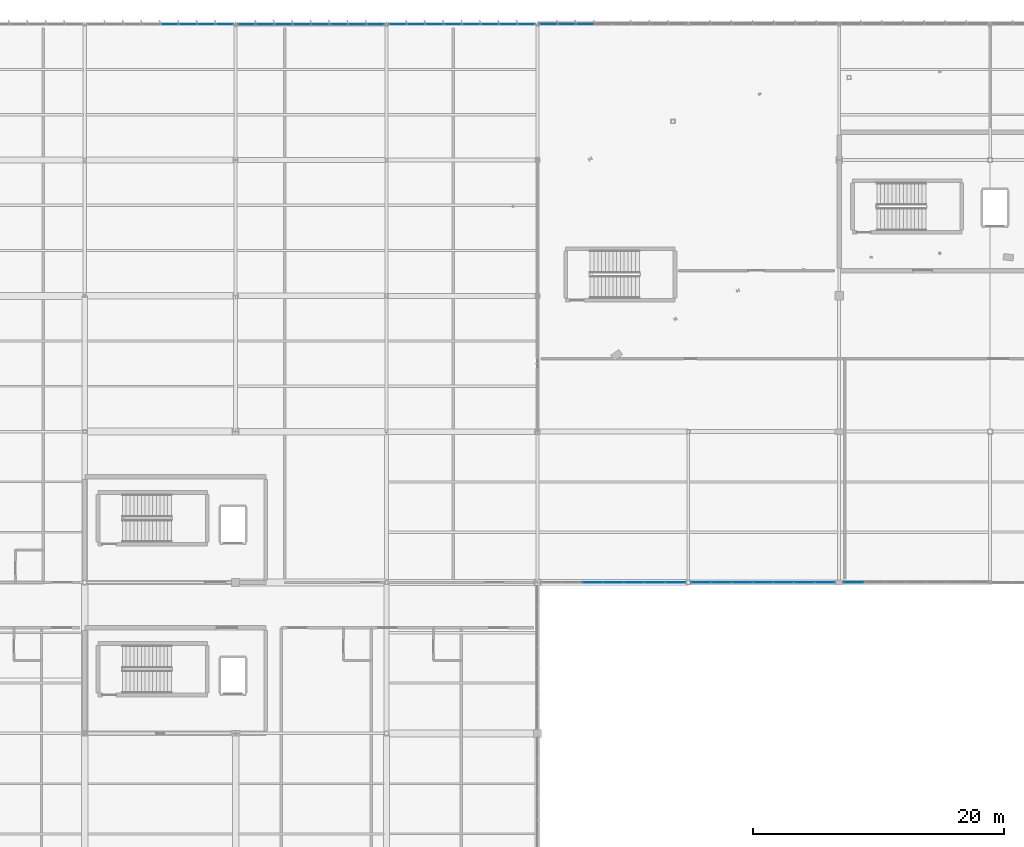
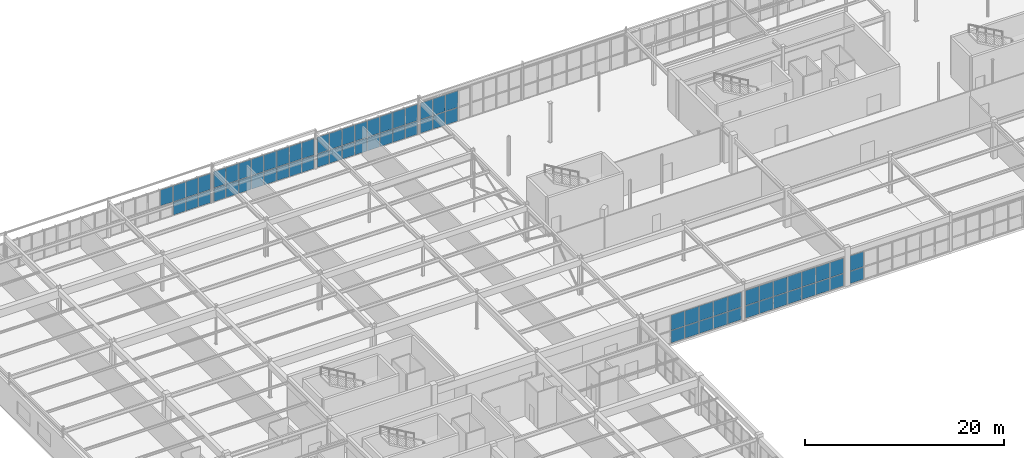
# One storey, part 140 of 226: 71 plates, 7 elements without a shape of their own.
"""IFC4 building model written with IfcOpenShell, lengths in metres."""

from ifc_helpers import new_model, si_unit, direction, frame, origin, origin_2d, place, context, subcontext, project, spatial, rectangle, extrude, material, layer, layer_set, type_object, element, aggregate, save


model = new_model("IFC4")

# Units and contexts
model_context = context("Model", 3, precision=1e-05, world=origin(), true_north=direction((0.0, 1.0)))
body_context = subcontext(model_context, "Body", "Model", "MODEL_VIEW")
ifc_project = project(units=[si_unit("LENGTHUNIT", "METRE"), si_unit("AREAUNIT", "SQUARE_METRE"), si_unit("VOLUMEUNIT", "CUBIC_METRE"), si_unit("PLANEANGLEUNIT", "RADIAN"), si_unit("MASSUNIT", "GRAM", prefix="KILO")], contexts=[model_context])

# Site, building, storey
site_placement = place(None, origin())
site = spatial("IfcSite", under=ifc_project, at=site_placement, CompositionType="ELEMENT")
building_placement = place(site_placement, origin())
building = spatial("IfcBuilding", under=site, at=building_placement, Name="Tarnwether General Hospital", CompositionType="ELEMENT")
storey_placement = place(building_placement, frame((0.0, 0.0, 4.800048828125)))
storey = spatial("IfcBuildingStorey", under=building, at=storey_placement, Name="L01", CompositionType="ELEMENT", Elevation=4.800048828125)

# Curtain wall, plates
ifc_material_1 = material(Name="Anodised aluminium", Category="aluminium")
ifc_layer_1 = layer(ifc_material_1, 0.159912109375)
ifc_layer_set_1 = layer_set([ifc_layer_1], Name="Anodised aluminium")
curtain_wall_type_1 = type_object("IfcCurtainWallType", Name="CW-12", PredefinedType="NOTDEFINED", material=ifc_layer_set_1)
curtain_wall_1_placement = place(storey_placement, origin())
curtain_wall_1 = element("IfcCurtainWall", 1, at=curtain_wall_1_placement, inside=storey, type_object=curtain_wall_type_1, Name="Curtain Wall CWG-L01-241_1260-0319", PredefinedType="NOTDEFINED")
ifc_material_2 = material(Name="Double glazed low-E glass", Category="glass")
ifc_layer_2 = layer(ifc_material_2, 0.028076171875)
ifc_layer_set_2 = layer_set([ifc_layer_2], Name="Double glazed low-E glass")
plate_type = type_object("IfcPlateType", Name="PT-CWP1", PredefinedType="CURTAIN_PANEL", material=ifc_layer_set_2)
plate_1_placement = place(storey_placement, frame((30.733154296875, 126.0, 1.705078125), z_axis=(0.0, 0.0, 1.0), x_axis=(1.0, 0.0, 0.0)))
plate_1 = element("IfcPlate", 2, at=plate_1_placement, type_object=plate_type, Name="CW-12 panel 5.2", PredefinedType="CURTAIN_PANEL", context=body_context, shape_type="SweptSolid", body=[
    extrude(rectangle(XDim=1.40625, YDim=0.028076171875, at=origin_2d()), origin(), (0.0, 0.0, 1.0), 1.957763671875),
])
plate_2_placement = place(storey_placement, frame((32.199462890625, 126.0, 0.06005859375), z_axis=(0.0, 0.0, 1.0), x_axis=(1.0, 0.0, 0.0)))
plate_2 = element("IfcPlate", 3, at=plate_2_placement, type_object=plate_type, Name="CW-12 panel 6.1", PredefinedType="CURTAIN_PANEL", context=body_context, shape_type="SweptSolid", body=[
    extrude(rectangle(XDim=1.40625, YDim=0.028076171875, at=origin_2d()), origin(), (0.0, 0.0, 1.0), 1.585205078125),
])
plate_3_placement = place(storey_placement, frame((32.199462890625, 126.0, 1.705078125), z_axis=(0.0, 0.0, 1.0), x_axis=(1.0, 0.0, 0.0)))
plate_3 = element("IfcPlate", 4, at=plate_3_placement, type_object=plate_type, Name="CW-12 panel 6.2", PredefinedType="CURTAIN_PANEL", context=body_context, shape_type="SweptSolid", body=[
    extrude(rectangle(XDim=1.40625, YDim=0.028076171875, at=origin_2d()), origin(), (0.0, 0.0, 1.0), 1.957763671875),
])
plate_4_placement = place(storey_placement, frame((33.66552734375, 126.0, 0.06005859375), z_axis=(0.0, 0.0, 1.0), x_axis=(1.0, 0.0, 0.0)))
plate_4 = element("IfcPlate", 5, at=plate_4_placement, type_object=plate_type, Name="CW-12 panel 7.1", PredefinedType="CURTAIN_PANEL", context=body_context, shape_type="SweptSolid", body=[
    extrude(rectangle(XDim=1.40625, YDim=0.028076171875, at=origin_2d()), origin(), (0.0, 0.0, 1.0), 1.585205078125),
])
plate_5_placement = place(storey_placement, frame((33.66552734375, 126.0, 1.705078125), z_axis=(0.0, 0.0, 1.0), x_axis=(1.0, 0.0, 0.0)))
plate_5 = element("IfcPlate", 6, at=plate_5_placement, type_object=plate_type, Name="CW-12 panel 7.2", PredefinedType="CURTAIN_PANEL", context=body_context, shape_type="SweptSolid", body=[
    extrude(rectangle(XDim=1.40625, YDim=0.028076171875, at=origin_2d()), origin(), (0.0, 0.0, 1.0), 1.957763671875),
])
plate_6_placement = place(storey_placement, frame((35.116943359375, 126.0, 0.06005859375), z_axis=(0.0, 0.0, 1.0), x_axis=(1.0, 0.0, 0.0)))
plate_6 = element("IfcPlate", 7, at=plate_6_placement, type_object=plate_type, Name="CW-12 panel 8.1", PredefinedType="CURTAIN_PANEL", context=body_context, shape_type="SweptSolid", body=[
    extrude(rectangle(XDim=1.376220703125, YDim=0.028076171875, at=origin_2d()), origin(), (0.0, 0.0, 1.0), 1.585205078125),
])
plate_7_placement = place(storey_placement, frame((35.116943359375, 126.0, 1.705078125), z_axis=(0.0, 0.0, 1.0), x_axis=(1.0, 0.0, 0.0)))
plate_7 = element("IfcPlate", 8, at=plate_7_placement, type_object=plate_type, Name="CW-12 panel 8.2", PredefinedType="CURTAIN_PANEL", context=body_context, shape_type="SweptSolid", body=[
    extrude(rectangle(XDim=1.376220703125, YDim=0.028076171875, at=origin_2d()), origin(), (0.0, 0.0, 1.0), 1.957763671875),
])
aggregate(curtain_wall_1, [plate_1, plate_2, plate_3, plate_4, plate_5, plate_6, plate_7])

curtain_wall_2_placement = place(storey_placement, origin())
curtain_wall_2 = element("IfcCurtainWall", 9, at=curtain_wall_2_placement, inside=storey, type_object=curtain_wall_type_1, Name="Curtain Wall CWG-L01-361_1260-0320", PredefinedType="NOTDEFINED")
plate_8_placement = place(storey_placement, frame((36.883056640625, 126.0, 0.06005859375), z_axis=(0.0, 0.0, 1.0), x_axis=(1.0, 0.0, 0.0)))
plate_8 = element("IfcPlate", 10, at=plate_8_placement, type_object=plate_type, Name="CW-12 panel 1.1", PredefinedType="CURTAIN_PANEL", context=body_context, shape_type="SweptSolid", body=[
    extrude(rectangle(XDim=1.376220703125, YDim=0.028076171875, at=origin_2d()), origin(), (0.0, 0.0, 1.0), 1.621337890625),
])
plate_9_placement = place(storey_placement, frame((36.883056640625, 126.0, 1.7412109375), z_axis=(0.0, 0.0, 1.0), x_axis=(1.0, 0.0, 0.0)))
plate_9 = element("IfcPlate", 11, at=plate_9_placement, type_object=plate_type, Name="CW-12 panel 1.2", PredefinedType="CURTAIN_PANEL", context=body_context, shape_type="SweptSolid", body=[
    extrude(rectangle(XDim=1.376220703125, YDim=0.028076171875, at=origin_2d()), origin(), (0.0, 0.0, 1.0), 2.001708984375),
])
plate_10_placement = place(storey_placement, frame((38.33447265625, 126.0, 0.06005859375), z_axis=(0.0, 0.0, 1.0), x_axis=(1.0, 0.0, 0.0)))
plate_10 = element("IfcPlate", 12, at=plate_10_placement, type_object=plate_type, Name="CW-12 panel 2.1", PredefinedType="CURTAIN_PANEL", context=body_context, shape_type="SweptSolid", body=[
    extrude(rectangle(XDim=1.40625, YDim=0.028076171875, at=origin_2d()), origin(), (0.0, 0.0, 1.0), 1.621337890625),
])
plate_11_placement = place(storey_placement, frame((38.33447265625, 126.0, 1.7412109375), z_axis=(0.0, 0.0, 1.0), x_axis=(1.0, 0.0, 0.0)))
plate_11 = element("IfcPlate", 13, at=plate_11_placement, type_object=plate_type, Name="CW-12 panel 2.2", PredefinedType="CURTAIN_PANEL", context=body_context, shape_type="SweptSolid", body=[
    extrude(rectangle(XDim=1.40625, YDim=0.028076171875, at=origin_2d()), origin(), (0.0, 0.0, 1.0), 2.001708984375),
])
plate_12_placement = place(storey_placement, frame((39.800537109375, 126.0, 0.06005859375), z_axis=(0.0, 0.0, 1.0), x_axis=(1.0, 0.0, 0.0)))
plate_12 = element("IfcPlate", 14, at=plate_12_placement, type_object=plate_type, Name="CW-12 panel 3.1", PredefinedType="CURTAIN_PANEL", context=body_context, shape_type="SweptSolid", body=[
    extrude(rectangle(XDim=1.40625, YDim=0.028076171875, at=origin_2d()), origin(), (0.0, 0.0, 1.0), 1.621337890625),
])
plate_13_placement = place(storey_placement, frame((39.800537109375, 126.0, 1.7412109375), z_axis=(0.0, 0.0, 1.0), x_axis=(1.0, 0.0, 0.0)))
plate_13 = element("IfcPlate", 15, at=plate_13_placement, type_object=plate_type, Name="CW-12 panel 3.2", PredefinedType="CURTAIN_PANEL", context=body_context, shape_type="SweptSolid", body=[
    extrude(rectangle(XDim=1.40625, YDim=0.028076171875, at=origin_2d()), origin(), (0.0, 0.0, 1.0), 2.001708984375),
])
plate_14_placement = place(storey_placement, frame((41.266845703125, 126.0, 0.06005859375), z_axis=(0.0, 0.0, 1.0), x_axis=(1.0, 0.0, 0.0)))
plate_14 = element("IfcPlate", 16, at=plate_14_placement, type_object=plate_type, Name="CW-12 panel 4.1", PredefinedType="CURTAIN_PANEL", context=body_context, shape_type="SweptSolid", body=[
    extrude(rectangle(XDim=1.40625, YDim=0.028076171875, at=origin_2d()), origin(), (0.0, 0.0, 1.0), 1.621337890625),
])
plate_15_placement = place(storey_placement, frame((41.266845703125, 126.0, 1.7412109375), z_axis=(0.0, 0.0, 1.0), x_axis=(1.0, 0.0, 0.0)))
plate_15 = element("IfcPlate", 17, at=plate_15_placement, type_object=plate_type, Name="CW-12 panel 4.2", PredefinedType="CURTAIN_PANEL", context=body_context, shape_type="SweptSolid", body=[
    extrude(rectangle(XDim=1.40625, YDim=0.028076171875, at=origin_2d()), origin(), (0.0, 0.0, 1.0), 2.001708984375),
])
plate_16_placement = place(storey_placement, frame((42.733154296875, 126.0, 0.06005859375), z_axis=(0.0, 0.0, 1.0), x_axis=(1.0, 0.0, 0.0)))
plate_16 = element("IfcPlate", 18, at=plate_16_placement, type_object=plate_type, Name="CW-12 panel 5.1", PredefinedType="CURTAIN_PANEL", context=body_context, shape_type="SweptSolid", body=[
    extrude(rectangle(XDim=1.40625, YDim=0.028076171875, at=origin_2d()), origin(), (0.0, 0.0, 1.0), 1.621337890625),
])
plate_17_placement = place(storey_placement, frame((42.733154296875, 126.0, 1.7412109375), z_axis=(0.0, 0.0, 1.0), x_axis=(1.0, 0.0, 0.0)))
plate_17 = element("IfcPlate", 19, at=plate_17_placement, type_object=plate_type, Name="CW-12 panel 5.2", PredefinedType="CURTAIN_PANEL", context=body_context, shape_type="SweptSolid", body=[
    extrude(rectangle(XDim=1.40625, YDim=0.028076171875, at=origin_2d()), origin(), (0.0, 0.0, 1.0), 2.001708984375),
])
plate_18_placement = place(storey_placement, frame((44.199462890625, 126.0, 0.06005859375), z_axis=(0.0, 0.0, 1.0), x_axis=(1.0, 0.0, 0.0)))
plate_18 = element("IfcPlate", 20, at=plate_18_placement, type_object=plate_type, Name="CW-12 panel 6.1", PredefinedType="CURTAIN_PANEL", context=body_context, shape_type="SweptSolid", body=[
    extrude(rectangle(XDim=1.40625, YDim=0.028076171875, at=origin_2d()), origin(), (0.0, 0.0, 1.0), 1.621337890625),
])
plate_19_placement = place(storey_placement, frame((44.199462890625, 126.0, 1.7412109375), z_axis=(0.0, 0.0, 1.0), x_axis=(1.0, 0.0, 0.0)))
plate_19 = element("IfcPlate", 21, at=plate_19_placement, type_object=plate_type, Name="CW-12 panel 6.2", PredefinedType="CURTAIN_PANEL", context=body_context, shape_type="SweptSolid", body=[
    extrude(rectangle(XDim=1.40625, YDim=0.028076171875, at=origin_2d()), origin(), (0.0, 0.0, 1.0), 2.001708984375),
])
plate_20_placement = place(storey_placement, frame((45.66552734375, 126.0, 0.06005859375), z_axis=(0.0, 0.0, 1.0), x_axis=(1.0, 0.0, 0.0)))
plate_20 = element("IfcPlate", 22, at=plate_20_placement, type_object=plate_type, Name="CW-12 panel 7.1", PredefinedType="CURTAIN_PANEL", context=body_context, shape_type="SweptSolid", body=[
    extrude(rectangle(XDim=1.40625, YDim=0.028076171875, at=origin_2d()), origin(), (0.0, 0.0, 1.0), 1.621337890625),
])
plate_21_placement = place(storey_placement, frame((45.66552734375, 126.0, 1.7412109375), z_axis=(0.0, 0.0, 1.0), x_axis=(1.0, 0.0, 0.0)))
plate_21 = element("IfcPlate", 23, at=plate_21_placement, type_object=plate_type, Name="CW-12 panel 7.2", PredefinedType="CURTAIN_PANEL", context=body_context, shape_type="SweptSolid", body=[
    extrude(rectangle(XDim=1.40625, YDim=0.028076171875, at=origin_2d()), origin(), (0.0, 0.0, 1.0), 2.001708984375),
])
plate_22_placement = place(storey_placement, frame((47.116943359375, 126.0, 0.06005859375), z_axis=(0.0, 0.0, 1.0), x_axis=(1.0, 0.0, 0.0)))
plate_22 = element("IfcPlate", 24, at=plate_22_placement, type_object=plate_type, Name="CW-12 panel 8.1", PredefinedType="CURTAIN_PANEL", context=body_context, shape_type="SweptSolid", body=[
    extrude(rectangle(XDim=1.376220703125, YDim=0.028076171875, at=origin_2d()), origin(), (0.0, 0.0, 1.0), 1.621337890625),
])
plate_23_placement = place(storey_placement, frame((47.116943359375, 126.0, 1.7412109375), z_axis=(0.0, 0.0, 1.0), x_axis=(1.0, 0.0, 0.0)))
plate_23 = element("IfcPlate", 25, at=plate_23_placement, type_object=plate_type, Name="CW-12 panel 8.2", PredefinedType="CURTAIN_PANEL", context=body_context, shape_type="SweptSolid", body=[
    extrude(rectangle(XDim=1.376220703125, YDim=0.028076171875, at=origin_2d()), origin(), (0.0, 0.0, 1.0), 2.001708984375),
])
aggregate(curtain_wall_2, [plate_8, plate_9, plate_10, plate_11, plate_12, plate_13, plate_14, plate_15, plate_16, plate_17, plate_18, plate_19, plate_20, plate_21, plate_22, plate_23])

curtain_wall_3_placement = place(storey_placement, origin())
curtain_wall_3 = element("IfcCurtainWall", 26, at=curtain_wall_3_placement, inside=storey, type_object=curtain_wall_type_1, Name="Curtain Wall CWG-L01-481_1260-0321", PredefinedType="NOTDEFINED")
plate_24_placement = place(storey_placement, frame((48.883056640625, 126.0, 0.06005859375), z_axis=(0.0, 0.0, 1.0), x_axis=(1.0, 0.0, 0.0)))
plate_24 = element("IfcPlate", 27, at=plate_24_placement, type_object=plate_type, Name="CW-12 panel 1.1", PredefinedType="CURTAIN_PANEL", context=body_context, shape_type="SweptSolid", body=[
    extrude(rectangle(XDim=1.376220703125, YDim=0.028076171875, at=origin_2d()), origin(), (0.0, 0.0, 1.0), 1.62353515625),
])
plate_25_placement = place(storey_placement, frame((48.883056640625, 126.0, 1.74365234375), z_axis=(0.0, 0.0, 1.0), x_axis=(1.0, 0.0, 0.0)))
plate_25 = element("IfcPlate", 28, at=plate_25_placement, type_object=plate_type, Name="CW-12 panel 1.2", PredefinedType="CURTAIN_PANEL", context=body_context, shape_type="SweptSolid", body=[
    extrude(rectangle(XDim=1.376220703125, YDim=0.028076171875, at=origin_2d()), origin(), (0.0, 0.0, 1.0), 2.00439453125),
])
plate_26_placement = place(storey_placement, frame((50.33447265625, 126.0, 0.06005859375), z_axis=(0.0, 0.0, 1.0), x_axis=(1.0, 0.0, 0.0)))
plate_26 = element("IfcPlate", 29, at=plate_26_placement, type_object=plate_type, Name="CW-12 panel 2.1", PredefinedType="CURTAIN_PANEL", context=body_context, shape_type="SweptSolid", body=[
    extrude(rectangle(XDim=1.40625, YDim=0.028076171875, at=origin_2d()), origin(), (0.0, 0.0, 1.0), 1.62353515625),
])
plate_27_placement = place(storey_placement, frame((50.33447265625, 126.0, 1.74365234375), z_axis=(0.0, 0.0, 1.0), x_axis=(1.0, 0.0, 0.0)))
plate_27 = element("IfcPlate", 30, at=plate_27_placement, type_object=plate_type, Name="CW-12 panel 2.2", PredefinedType="CURTAIN_PANEL", context=body_context, shape_type="SweptSolid", body=[
    extrude(rectangle(XDim=1.40625, YDim=0.028076171875, at=origin_2d()), origin(), (0.0, 0.0, 1.0), 2.00439453125),
])
plate_28_placement = place(storey_placement, frame((51.800537109375, 126.0, 0.06005859375), z_axis=(0.0, 0.0, 1.0), x_axis=(1.0, 0.0, 0.0)))
plate_28 = element("IfcPlate", 31, at=plate_28_placement, type_object=plate_type, Name="CW-12 panel 3.1", PredefinedType="CURTAIN_PANEL", context=body_context, shape_type="SweptSolid", body=[
    extrude(rectangle(XDim=1.40625, YDim=0.028076171875, at=origin_2d()), origin(), (0.0, 0.0, 1.0), 1.62353515625),
])
plate_29_placement = place(storey_placement, frame((51.800537109375, 126.0, 1.74365234375), z_axis=(0.0, 0.0, 1.0), x_axis=(1.0, 0.0, 0.0)))
plate_29 = element("IfcPlate", 32, at=plate_29_placement, type_object=plate_type, Name="CW-12 panel 3.2", PredefinedType="CURTAIN_PANEL", context=body_context, shape_type="SweptSolid", body=[
    extrude(rectangle(XDim=1.40625, YDim=0.028076171875, at=origin_2d()), origin(), (0.0, 0.0, 1.0), 2.00439453125),
])
plate_30_placement = place(storey_placement, frame((53.266845703125, 126.0, 0.06005859375), z_axis=(0.0, 0.0, 1.0), x_axis=(1.0, 0.0, 0.0)))
plate_30 = element("IfcPlate", 33, at=plate_30_placement, type_object=plate_type, Name="CW-12 panel 4.1", PredefinedType="CURTAIN_PANEL", context=body_context, shape_type="SweptSolid", body=[
    extrude(rectangle(XDim=1.40625, YDim=0.028076171875, at=origin_2d()), origin(), (0.0, 0.0, 1.0), 1.62353515625),
])
plate_31_placement = place(storey_placement, frame((53.266845703125, 126.0, 1.74365234375), z_axis=(0.0, 0.0, 1.0), x_axis=(1.0, 0.0, 0.0)))
plate_31 = element("IfcPlate", 34, at=plate_31_placement, type_object=plate_type, Name="CW-12 panel 4.2", PredefinedType="CURTAIN_PANEL", context=body_context, shape_type="SweptSolid", body=[
    extrude(rectangle(XDim=1.40625, YDim=0.028076171875, at=origin_2d()), origin(), (0.0, 0.0, 1.0), 2.00439453125),
])
plate_32_placement = place(storey_placement, frame((54.733154296875, 126.0, 0.06005859375), z_axis=(0.0, 0.0, 1.0), x_axis=(1.0, 0.0, 0.0)))
plate_32 = element("IfcPlate", 35, at=plate_32_placement, type_object=plate_type, Name="CW-12 panel 5.1", PredefinedType="CURTAIN_PANEL", context=body_context, shape_type="SweptSolid", body=[
    extrude(rectangle(XDim=1.40625, YDim=0.028076171875, at=origin_2d()), origin(), (0.0, 0.0, 1.0), 1.62353515625),
])
plate_33_placement = place(storey_placement, frame((54.733154296875, 126.0, 1.74365234375), z_axis=(0.0, 0.0, 1.0), x_axis=(1.0, 0.0, 0.0)))
plate_33 = element("IfcPlate", 36, at=plate_33_placement, type_object=plate_type, Name="CW-12 panel 5.2", PredefinedType="CURTAIN_PANEL", context=body_context, shape_type="SweptSolid", body=[
    extrude(rectangle(XDim=1.40625, YDim=0.028076171875, at=origin_2d()), origin(), (0.0, 0.0, 1.0), 2.00439453125),
])
plate_34_placement = place(storey_placement, frame((56.199462890625, 126.0, 0.06005859375), z_axis=(0.0, 0.0, 1.0), x_axis=(1.0, 0.0, 0.0)))
plate_34 = element("IfcPlate", 37, at=plate_34_placement, type_object=plate_type, Name="CW-12 panel 6.1", PredefinedType="CURTAIN_PANEL", context=body_context, shape_type="SweptSolid", body=[
    extrude(rectangle(XDim=1.40625, YDim=0.028076171875, at=origin_2d()), origin(), (0.0, 0.0, 1.0), 1.62353515625),
])
plate_35_placement = place(storey_placement, frame((56.199462890625, 126.0, 1.74365234375), z_axis=(0.0, 0.0, 1.0), x_axis=(1.0, 0.0, 0.0)))
plate_35 = element("IfcPlate", 38, at=plate_35_placement, type_object=plate_type, Name="CW-12 panel 6.2", PredefinedType="CURTAIN_PANEL", context=body_context, shape_type="SweptSolid", body=[
    extrude(rectangle(XDim=1.40625, YDim=0.028076171875, at=origin_2d()), origin(), (0.0, 0.0, 1.0), 2.00439453125),
])
plate_36_placement = place(storey_placement, frame((57.66552734375, 126.0, 0.06005859375), z_axis=(0.0, 0.0, 1.0), x_axis=(1.0, 0.0, 0.0)))
plate_36 = element("IfcPlate", 39, at=plate_36_placement, type_object=plate_type, Name="CW-12 panel 7.1", PredefinedType="CURTAIN_PANEL", context=body_context, shape_type="SweptSolid", body=[
    extrude(rectangle(XDim=1.40625, YDim=0.028076171875, at=origin_2d()), origin(), (0.0, 0.0, 1.0), 1.62353515625),
])
plate_37_placement = place(storey_placement, frame((57.66552734375, 126.0, 1.74365234375), z_axis=(0.0, 0.0, 1.0), x_axis=(1.0, 0.0, 0.0)))
plate_37 = element("IfcPlate", 40, at=plate_37_placement, type_object=plate_type, Name="CW-12 panel 7.2", PredefinedType="CURTAIN_PANEL", context=body_context, shape_type="SweptSolid", body=[
    extrude(rectangle(XDim=1.40625, YDim=0.028076171875, at=origin_2d()), origin(), (0.0, 0.0, 1.0), 2.00439453125),
])
plate_38_placement = place(storey_placement, frame((59.116943359375, 126.0, 0.06005859375), z_axis=(0.0, 0.0, 1.0), x_axis=(1.0, 0.0, 0.0)))
plate_38 = element("IfcPlate", 41, at=plate_38_placement, type_object=plate_type, Name="CW-12 panel 8.1", PredefinedType="CURTAIN_PANEL", context=body_context, shape_type="SweptSolid", body=[
    extrude(rectangle(XDim=1.376220703125, YDim=0.028076171875, at=origin_2d()), origin(), (0.0, 0.0, 1.0), 1.62353515625),
])
plate_39_placement = place(storey_placement, frame((59.116943359375, 126.0, 1.74365234375), z_axis=(0.0, 0.0, 1.0), x_axis=(1.0, 0.0, 0.0)))
plate_39 = element("IfcPlate", 42, at=plate_39_placement, type_object=plate_type, Name="CW-12 panel 8.2", PredefinedType="CURTAIN_PANEL", context=body_context, shape_type="SweptSolid", body=[
    extrude(rectangle(XDim=1.376220703125, YDim=0.028076171875, at=origin_2d()), origin(), (0.0, 0.0, 1.0), 2.00439453125),
])
aggregate(curtain_wall_3, [plate_24, plate_25, plate_26, plate_27, plate_28, plate_29, plate_30, plate_31, plate_32, plate_33, plate_34, plate_35, plate_36, plate_37, plate_38, plate_39])

curtain_wall_4_placement = place(storey_placement, origin())
curtain_wall_4 = element("IfcCurtainWall", 43, at=curtain_wall_4_placement, inside=storey, type_object=curtain_wall_type_1, Name="Curtain Wall CWG-L01-601_1260-0322", PredefinedType="NOTDEFINED")
plate_40_placement = place(storey_placement, frame((60.883056640625, 126.0, 0.06005859375), z_axis=(0.0, 0.0, 1.0), x_axis=(1.0, 0.0, 0.0)))
plate_40 = element("IfcPlate", 44, at=plate_40_placement, type_object=plate_type, Name="CW-12 panel 1.1", PredefinedType="CURTAIN_PANEL", context=body_context, shape_type="SweptSolid", body=[
    extrude(rectangle(XDim=1.376220703125, YDim=0.028076171875, at=origin_2d()), origin(), (0.0, 0.0, 1.0), 1.632568359375),
])
plate_41_placement = place(storey_placement, frame((60.883056640625, 126.0, 1.75244140625), z_axis=(0.0, 0.0, 1.0), x_axis=(1.0, 0.0, 0.0)))
plate_41 = element("IfcPlate", 45, at=plate_41_placement, type_object=plate_type, Name="CW-12 panel 1.2", PredefinedType="CURTAIN_PANEL", context=body_context, shape_type="SweptSolid", body=[
    extrude(rectangle(XDim=1.376220703125, YDim=0.028076171875, at=origin_2d()), origin(), (0.0, 0.0, 1.0), 2.015380859375),
])
plate_42_placement = place(storey_placement, frame((62.33447265625, 126.0, 0.06005859375), z_axis=(0.0, 0.0, 1.0), x_axis=(1.0, 0.0, 0.0)))
plate_42 = element("IfcPlate", 46, at=plate_42_placement, type_object=plate_type, Name="CW-12 panel 2.1", PredefinedType="CURTAIN_PANEL", context=body_context, shape_type="SweptSolid", body=[
    extrude(rectangle(XDim=1.40625, YDim=0.028076171875, at=origin_2d()), origin(), (0.0, 0.0, 1.0), 1.632568359375),
])
plate_43_placement = place(storey_placement, frame((62.33447265625, 126.0, 1.75244140625), z_axis=(0.0, 0.0, 1.0), x_axis=(1.0, 0.0, 0.0)))
plate_43 = element("IfcPlate", 47, at=plate_43_placement, type_object=plate_type, Name="CW-12 panel 2.2", PredefinedType="CURTAIN_PANEL", context=body_context, shape_type="SweptSolid", body=[
    extrude(rectangle(XDim=1.40625, YDim=0.028076171875, at=origin_2d()), origin(), (0.0, 0.0, 1.0), 2.015380859375),
])
plate_44_placement = place(storey_placement, frame((63.800537109375, 126.0, 0.06005859375), z_axis=(0.0, 0.0, 1.0), x_axis=(1.0, 0.0, 0.0)))
plate_44 = element("IfcPlate", 48, at=plate_44_placement, type_object=plate_type, Name="CW-12 panel 3.1", PredefinedType="CURTAIN_PANEL", context=body_context, shape_type="SweptSolid", body=[
    extrude(rectangle(XDim=1.40625, YDim=0.028076171875, at=origin_2d()), origin(), (0.0, 0.0, 1.0), 1.632568359375),
])
plate_45_placement = place(storey_placement, frame((63.800537109375, 126.0, 1.75244140625), z_axis=(0.0, 0.0, 1.0), x_axis=(1.0, 0.0, 0.0)))
plate_45 = element("IfcPlate", 49, at=plate_45_placement, type_object=plate_type, Name="CW-12 panel 3.2", PredefinedType="CURTAIN_PANEL", context=body_context, shape_type="SweptSolid", body=[
    extrude(rectangle(XDim=1.40625, YDim=0.028076171875, at=origin_2d()), origin(), (0.0, 0.0, 1.0), 2.015380859375),
])
aggregate(curtain_wall_4, [plate_40, plate_41, plate_42, plate_43, plate_44, plate_45])

ifc_material_3 = material(Name="Anodised aluminium", Category="aluminium")
ifc_layer_3 = layer(ifc_material_3, 0.159912109375)
ifc_layer_set_3 = layer_set([ifc_layer_3], Name="Anodised aluminium")
curtain_wall_type_2 = type_object("IfcCurtainWallType", Name="CW-23", PredefinedType="NOTDEFINED", material=ifc_layer_set_3)
curtain_wall_5_placement = place(storey_placement, origin())
curtain_wall_5 = element("IfcCurtainWall", 50, at=curtain_wall_5_placement, inside=storey, type_object=curtain_wall_type_2, Name="Curtain Wall CWG-L01-603_816-0339", PredefinedType="NOTDEFINED")
plate_46_placement = place(storey_placement, frame((64.38525390625, 81.60009765625, 0.06005859375), z_axis=(0.0, 0.0, 1.0), x_axis=(1.0, 0.0, 0.0)))
plate_46 = element("IfcPlate", 51, at=plate_46_placement, type_object=plate_type, Name="CW-23 panel 3.1", PredefinedType="CURTAIN_PANEL", context=body_context, shape_type="SweptSolid", body=[
    extrude(rectangle(XDim=1.5908203125, YDim=0.028076171875, at=origin_2d()), origin(), (0.0, 0.0, 1.0), 1.49169921875),
])
plate_47_placement = place(storey_placement, frame((64.38525390625, 81.60009765625, 1.61181640625), z_axis=(0.0, 0.0, 1.0), x_axis=(1.0, 0.0, 0.0)))
plate_47 = element("IfcPlate", 52, at=plate_47_placement, type_object=plate_type, Name="CW-23 panel 3.2", PredefinedType="CURTAIN_PANEL", context=body_context, shape_type="SweptSolid", body=[
    extrude(rectangle(XDim=1.5908203125, YDim=0.028076171875, at=origin_2d()), origin(), (0.0, 0.0, 1.0), 1.84326171875),
])
plate_48_placement = place(storey_placement, frame((66.035888671875, 81.60009765625, 0.06005859375), z_axis=(0.0, 0.0, 1.0), x_axis=(1.0, 0.0, 0.0)))
plate_48 = element("IfcPlate", 53, at=plate_48_placement, type_object=plate_type, Name="CW-23 panel 4.1", PredefinedType="CURTAIN_PANEL", context=body_context, shape_type="SweptSolid", body=[
    extrude(rectangle(XDim=1.5908203125, YDim=0.028076171875, at=origin_2d()), origin(), (0.0, 0.0, 1.0), 1.49169921875),
])
plate_49_placement = place(storey_placement, frame((66.035888671875, 81.60009765625, 1.61181640625), z_axis=(0.0, 0.0, 1.0), x_axis=(1.0, 0.0, 0.0)))
plate_49 = element("IfcPlate", 54, at=plate_49_placement, type_object=plate_type, Name="CW-23 panel 4.2", PredefinedType="CURTAIN_PANEL", context=body_context, shape_type="SweptSolid", body=[
    extrude(rectangle(XDim=1.5908203125, YDim=0.028076171875, at=origin_2d()), origin(), (0.0, 0.0, 1.0), 1.84326171875),
])
plate_50_placement = place(storey_placement, frame((67.686767578125, 81.60009765625, 0.06005859375), z_axis=(0.0, 0.0, 1.0), x_axis=(1.0, 0.0, 0.0)))
plate_50 = element("IfcPlate", 55, at=plate_50_placement, type_object=plate_type, Name="CW-23 panel 5.1", PredefinedType="CURTAIN_PANEL", context=body_context, shape_type="SweptSolid", body=[
    extrude(rectangle(XDim=1.5908203125, YDim=0.028076171875, at=origin_2d()), origin(), (0.0, 0.0, 1.0), 1.49169921875),
])
plate_51_placement = place(storey_placement, frame((67.686767578125, 81.60009765625, 1.61181640625), z_axis=(0.0, 0.0, 1.0), x_axis=(1.0, 0.0, 0.0)))
plate_51 = element("IfcPlate", 56, at=plate_51_placement, type_object=plate_type, Name="CW-23 panel 5.2", PredefinedType="CURTAIN_PANEL", context=body_context, shape_type="SweptSolid", body=[
    extrude(rectangle(XDim=1.5908203125, YDim=0.028076171875, at=origin_2d()), origin(), (0.0, 0.0, 1.0), 1.84326171875),
])
plate_52_placement = place(storey_placement, frame((69.337646484375, 81.60009765625, 0.06005859375), z_axis=(0.0, 0.0, 1.0), x_axis=(1.0, 0.0, 0.0)))
plate_52 = element("IfcPlate", 57, at=plate_52_placement, type_object=plate_type, Name="CW-23 panel 6.1", PredefinedType="CURTAIN_PANEL", context=body_context, shape_type="SweptSolid", body=[
    extrude(rectangle(XDim=1.5908203125, YDim=0.028076171875, at=origin_2d()), origin(), (0.0, 0.0, 1.0), 1.49169921875),
])
plate_53_placement = place(storey_placement, frame((69.337646484375, 81.60009765625, 1.61181640625), z_axis=(0.0, 0.0, 1.0), x_axis=(1.0, 0.0, 0.0)))
plate_53 = element("IfcPlate", 58, at=plate_53_placement, type_object=plate_type, Name="CW-23 panel 6.2", PredefinedType="CURTAIN_PANEL", context=body_context, shape_type="SweptSolid", body=[
    extrude(rectangle(XDim=1.5908203125, YDim=0.028076171875, at=origin_2d()), origin(), (0.0, 0.0, 1.0), 1.84326171875),
])
plate_54_placement = place(storey_placement, frame((70.9736328125, 81.60009765625, 0.06005859375), z_axis=(0.0, 0.0, 1.0), x_axis=(1.0, 0.0, 0.0)))
plate_54 = element("IfcPlate", 59, at=plate_54_placement, type_object=plate_type, Name="CW-23 panel 7.1", PredefinedType="CURTAIN_PANEL", context=body_context, shape_type="SweptSolid", body=[
    extrude(rectangle(XDim=1.560791015625, YDim=0.028076171875, at=origin_2d()), origin(), (0.0, 0.0, 1.0), 1.49169921875),
])
plate_55_placement = place(storey_placement, frame((70.9736328125, 81.60009765625, 1.61181640625), z_axis=(0.0, 0.0, 1.0), x_axis=(1.0, 0.0, 0.0)))
plate_55 = element("IfcPlate", 60, at=plate_55_placement, type_object=plate_type, Name="CW-23 panel 7.2", PredefinedType="CURTAIN_PANEL", context=body_context, shape_type="SweptSolid", body=[
    extrude(rectangle(XDim=1.560791015625, YDim=0.028076171875, at=origin_2d()), origin(), (0.0, 0.0, 1.0), 1.84326171875),
])
aggregate(curtain_wall_5, [plate_46, plate_47, plate_48, plate_49, plate_50, plate_51, plate_52, plate_53, plate_54, plate_55])

curtain_wall_6_placement = place(storey_placement, origin())
curtain_wall_6 = element("IfcCurtainWall", 61, at=curtain_wall_6_placement, inside=storey, type_object=curtain_wall_type_2, Name="Curtain Wall CWG-L01-722_816-0340", PredefinedType="NOTDEFINED")
plate_56_placement = place(storey_placement, frame((73.02294921875, 81.60009765625, 0.059814453125), z_axis=(0.0, 0.0, 1.0), x_axis=(1.0, 0.0, 0.0)))
plate_56 = element("IfcPlate", 62, at=plate_56_placement, type_object=plate_type, Name="CW-23 panel 1.1", PredefinedType="CURTAIN_PANEL", context=body_context, shape_type="SweptSolid", body=[
    extrude(rectangle(XDim=1.5537109375, YDim=0.028076171875, at=origin_2d()), origin(), (0.0, 0.0, 1.0), 1.49853515625),
])
plate_57_placement = place(storey_placement, frame((73.02294921875, 81.60009765625, 1.618408203125), z_axis=(0.0, 0.0, 1.0), x_axis=(1.0, 0.0, 0.0)))
plate_57 = element("IfcPlate", 63, at=plate_57_placement, type_object=plate_type, Name="CW-23 panel 1.2", PredefinedType="CURTAIN_PANEL", context=body_context, shape_type="SweptSolid", body=[
    extrude(rectangle(XDim=1.5537109375, YDim=0.028076171875, at=origin_2d()), origin(), (0.0, 0.0, 1.0), 1.8515625),
])
plate_58_placement = place(storey_placement, frame((74.651611328125, 81.60009765625, 0.059814453125), z_axis=(0.0, 0.0, 1.0), x_axis=(1.0, 0.0, 0.0)))
plate_58 = element("IfcPlate", 64, at=plate_58_placement, type_object=plate_type, Name="CW-23 panel 2.1", PredefinedType="CURTAIN_PANEL", context=body_context, shape_type="SweptSolid", body=[
    extrude(rectangle(XDim=1.583740234375, YDim=0.028076171875, at=origin_2d()), origin(), (0.0, 0.0, 1.0), 1.49853515625),
])
plate_59_placement = place(storey_placement, frame((74.651611328125, 81.60009765625, 1.618408203125), z_axis=(0.0, 0.0, 1.0), x_axis=(1.0, 0.0, 0.0)))
plate_59 = element("IfcPlate", 65, at=plate_59_placement, type_object=plate_type, Name="CW-23 panel 2.2", PredefinedType="CURTAIN_PANEL", context=body_context, shape_type="SweptSolid", body=[
    extrude(rectangle(XDim=1.583740234375, YDim=0.028076171875, at=origin_2d()), origin(), (0.0, 0.0, 1.0), 1.8515625),
])
plate_60_placement = place(storey_placement, frame((76.295166015625, 81.60009765625, 0.059814453125), z_axis=(0.0, 0.0, 1.0), x_axis=(1.0, 0.0, 0.0)))
plate_60 = element("IfcPlate", 66, at=plate_60_placement, type_object=plate_type, Name="CW-23 panel 3.1", PredefinedType="CURTAIN_PANEL", context=body_context, shape_type="SweptSolid", body=[
    extrude(rectangle(XDim=1.583740234375, YDim=0.028076171875, at=origin_2d()), origin(), (0.0, 0.0, 1.0), 1.49853515625),
])
plate_61_placement = place(storey_placement, frame((76.295166015625, 81.60009765625, 1.618408203125), z_axis=(0.0, 0.0, 1.0), x_axis=(1.0, 0.0, 0.0)))
plate_61 = element("IfcPlate", 67, at=plate_61_placement, type_object=plate_type, Name="CW-23 panel 3.2", PredefinedType="CURTAIN_PANEL", context=body_context, shape_type="SweptSolid", body=[
    extrude(rectangle(XDim=1.583740234375, YDim=0.028076171875, at=origin_2d()), origin(), (0.0, 0.0, 1.0), 1.8515625),
])
plate_62_placement = place(storey_placement, frame((77.93896484375, 81.60009765625, 0.059814453125), z_axis=(0.0, 0.0, 1.0), x_axis=(1.0, 0.0, 0.0)))
plate_62 = element("IfcPlate", 68, at=plate_62_placement, type_object=plate_type, Name="CW-23 panel 4.1", PredefinedType="CURTAIN_PANEL", context=body_context, shape_type="SweptSolid", body=[
    extrude(rectangle(XDim=1.583740234375, YDim=0.028076171875, at=origin_2d()), origin(), (0.0, 0.0, 1.0), 1.49853515625),
])
plate_63_placement = place(storey_placement, frame((77.93896484375, 81.60009765625, 1.618408203125), z_axis=(0.0, 0.0, 1.0), x_axis=(1.0, 0.0, 0.0)))
plate_63 = element("IfcPlate", 69, at=plate_63_placement, type_object=plate_type, Name="CW-23 panel 4.2", PredefinedType="CURTAIN_PANEL", context=body_context, shape_type="SweptSolid", body=[
    extrude(rectangle(XDim=1.583740234375, YDim=0.028076171875, at=origin_2d()), origin(), (0.0, 0.0, 1.0), 1.8515625),
])
plate_64_placement = place(storey_placement, frame((79.582763671875, 81.60009765625, 0.059814453125), z_axis=(0.0, 0.0, 1.0), x_axis=(1.0, 0.0, 0.0)))
plate_64 = element("IfcPlate", 70, at=plate_64_placement, type_object=plate_type, Name="CW-23 panel 5.1", PredefinedType="CURTAIN_PANEL", context=body_context, shape_type="SweptSolid", body=[
    extrude(rectangle(XDim=1.583740234375, YDim=0.028076171875, at=origin_2d()), origin(), (0.0, 0.0, 1.0), 1.49853515625),
])
plate_65_placement = place(storey_placement, frame((79.582763671875, 81.60009765625, 1.618408203125), z_axis=(0.0, 0.0, 1.0), x_axis=(1.0, 0.0, 0.0)))
plate_65 = element("IfcPlate", 71, at=plate_65_placement, type_object=plate_type, Name="CW-23 panel 5.2", PredefinedType="CURTAIN_PANEL", context=body_context, shape_type="SweptSolid", body=[
    extrude(rectangle(XDim=1.583740234375, YDim=0.028076171875, at=origin_2d()), origin(), (0.0, 0.0, 1.0), 1.8515625),
])
plate_66_placement = place(storey_placement, frame((81.226318359375, 81.60009765625, 0.059814453125), z_axis=(0.0, 0.0, 1.0), x_axis=(1.0, 0.0, 0.0)))
plate_66 = element("IfcPlate", 72, at=plate_66_placement, type_object=plate_type, Name="CW-23 panel 6.1", PredefinedType="CURTAIN_PANEL", context=body_context, shape_type="SweptSolid", body=[
    extrude(rectangle(XDim=1.583740234375, YDim=0.028076171875, at=origin_2d()), origin(), (0.0, 0.0, 1.0), 1.49853515625),
])
plate_67_placement = place(storey_placement, frame((81.226318359375, 81.60009765625, 1.618408203125), z_axis=(0.0, 0.0, 1.0), x_axis=(1.0, 0.0, 0.0)))
plate_67 = element("IfcPlate", 73, at=plate_67_placement, type_object=plate_type, Name="CW-23 panel 6.2", PredefinedType="CURTAIN_PANEL", context=body_context, shape_type="SweptSolid", body=[
    extrude(rectangle(XDim=1.583740234375, YDim=0.028076171875, at=origin_2d()), origin(), (0.0, 0.0, 1.0), 1.8515625),
])
plate_68_placement = place(storey_placement, frame((82.855224609375, 81.60009765625, 0.059814453125), z_axis=(0.0, 0.0, 1.0), x_axis=(1.0, 0.0, 0.0)))
plate_68 = element("IfcPlate", 74, at=plate_68_placement, type_object=plate_type, Name="CW-23 panel 7.1", PredefinedType="CURTAIN_PANEL", context=body_context, shape_type="SweptSolid", body=[
    extrude(rectangle(XDim=1.5537109375, YDim=0.028076171875, at=origin_2d()), origin(), (0.0, 0.0, 1.0), 1.49853515625),
])
plate_69_placement = place(storey_placement, frame((82.855224609375, 81.60009765625, 1.618408203125), z_axis=(0.0, 0.0, 1.0), x_axis=(1.0, 0.0, 0.0)))
plate_69 = element("IfcPlate", 75, at=plate_69_placement, type_object=plate_type, Name="CW-23 panel 7.2", PredefinedType="CURTAIN_PANEL", context=body_context, shape_type="SweptSolid", body=[
    extrude(rectangle(XDim=1.5537109375, YDim=0.028076171875, at=origin_2d()), origin(), (0.0, 0.0, 1.0), 1.8515625),
])
aggregate(curtain_wall_6, [plate_56, plate_57, plate_58, plate_59, plate_60, plate_61, plate_62, plate_63, plate_64, plate_65, plate_66, plate_67, plate_68, plate_69])

curtain_wall_7_placement = place(storey_placement, origin())
curtain_wall_7 = element("IfcCurtainWall", 76, at=curtain_wall_7_placement, inside=storey, type_object=curtain_wall_type_2, Name="Curtain Wall CWG-L01-843_816-0341", PredefinedType="NOTDEFINED")
plate_70_placement = place(storey_placement, frame((85.1484375, 81.60009765625, 0.059814453125), z_axis=(0.0, 0.0, 1.0), x_axis=(1.0, 0.0, 0.0)))
plate_70 = element("IfcPlate", 77, at=plate_70_placement, type_object=plate_type, Name="CW-23 panel 1.1", PredefinedType="CURTAIN_PANEL", context=body_context, shape_type="SweptSolid", body=[
    extrude(rectangle(XDim=1.560791015625, YDim=0.028076171875, at=origin_2d()), origin(), (0.0, 0.0, 1.0), 1.49853515625),
])
plate_71_placement = place(storey_placement, frame((85.1484375, 81.60009765625, 1.618408203125), z_axis=(0.0, 0.0, 1.0), x_axis=(1.0, 0.0, 0.0)))
plate_71 = element("IfcPlate", 78, at=plate_71_placement, type_object=plate_type, Name="CW-23 panel 1.2", PredefinedType="CURTAIN_PANEL", context=body_context, shape_type="SweptSolid", body=[
    extrude(rectangle(XDim=1.560791015625, YDim=0.028076171875, at=origin_2d()), origin(), (0.0, 0.0, 1.0), 1.8515625),
])
aggregate(curtain_wall_7, [plate_70, plate_71])

save(model, "model.ifc")
